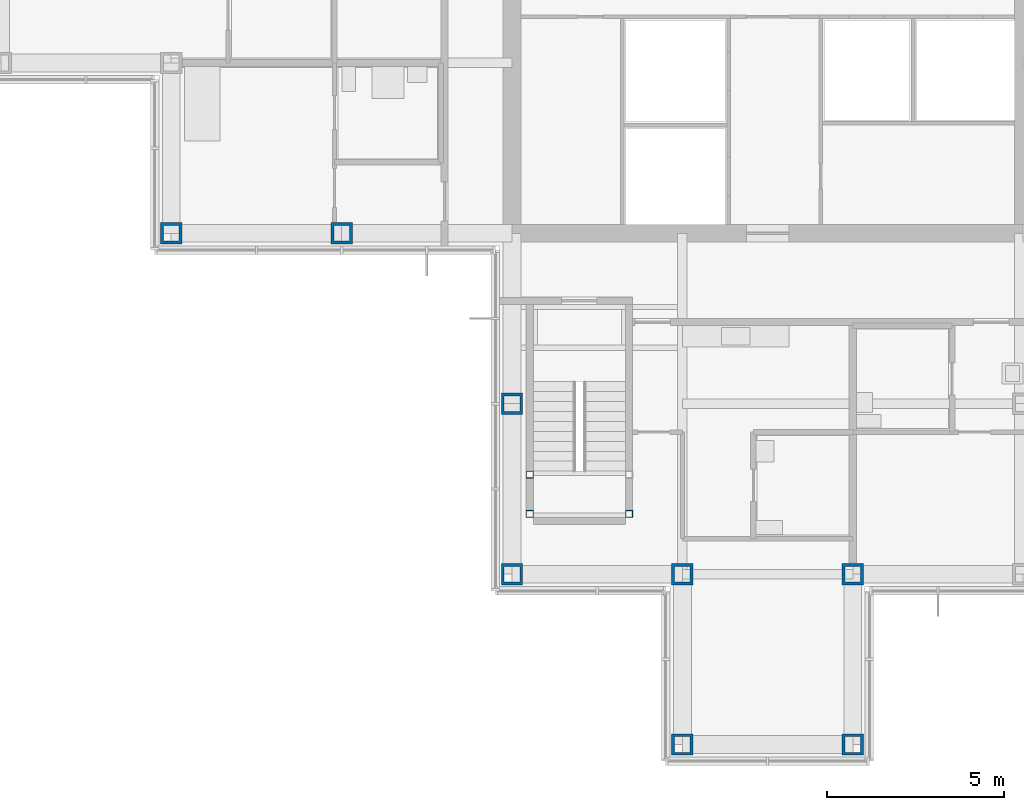
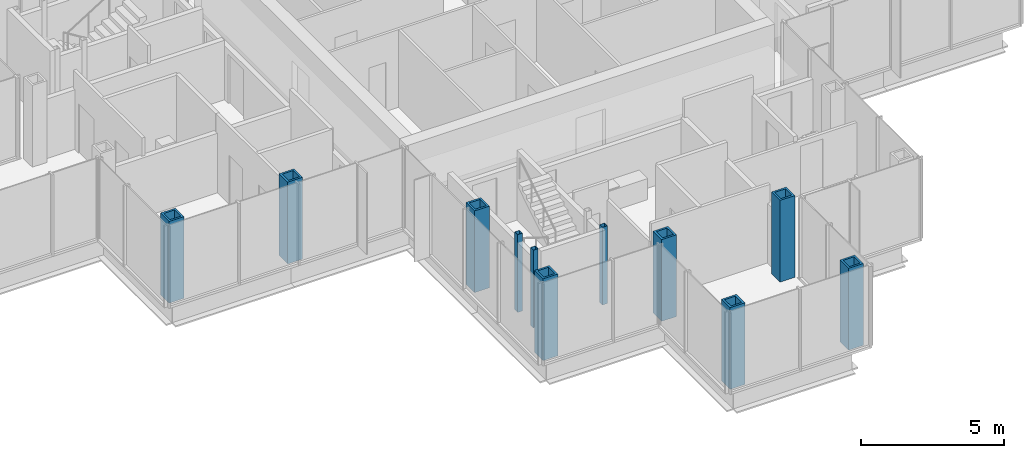
# One storey, part 1 of 17: 11 columns.
"""IFC4 building model written with IfcOpenShell, lengths in metres."""

from ifc_helpers import new_model, si_unit, direction, frame, origin, origin_2d, place, context, subcontext, project, spatial, hollow_rectangle, extrude, material, material_profile, profile_set, type_object, element, save


model = new_model("IFC4")

# Units and contexts
model_context = context("Model", 3, precision=1e-05, world=origin(), true_north=direction((0.0, 1.0)))
body_context = subcontext(model_context, "Body", "Model", "MODEL_VIEW")
ifc_project = project(units=[si_unit("LENGTHUNIT", "METRE"), si_unit("AREAUNIT", "SQUARE_METRE"), si_unit("VOLUMEUNIT", "CUBIC_METRE"), si_unit("PLANEANGLEUNIT", "RADIAN"), si_unit("MASSUNIT", "GRAM", prefix="KILO")], contexts=[model_context])

# Site, building, storey
site_placement = place(None, origin())
site = spatial("IfcSite", under=ifc_project, at=site_placement, CompositionType="ELEMENT")
building_placement = place(site_placement, origin())
building = spatial("IfcBuilding", under=site, at=building_placement, Name="Kvirike Care Tower", CompositionType="ELEMENT")
storey_placement = place(building_placement, frame((0.0, 0.0, 148.0)))
storey = spatial("IfcBuildingStorey", under=building, at=storey_placement, Name="L40", CompositionType="ELEMENT", Elevation=148.0)

# Columns
ifc_material_1 = material(Name="Steel S460", Category="steel")
ifc_material_profile_1 = material_profile(ifc_material_1, hollow_rectangle(XDim=0.60009765625, YDim=0.60009765625, WallThickness=0.080078125, at=origin_2d()), Name="BX 600x600x80")
ifc_profile_set_1 = profile_set([ifc_material_profile_1], Name="Steel S460")
column_type_1 = type_object("IfcColumnType", Name="COLUMN BX 600x600x80", PredefinedType="COLUMN", material=ifc_profile_set_1)
for number, where, z_axis, x_axis, name in (
    (1, (4.800048828125, 28.800048828125, 0.0), (0.0, 0.0, 1.0), (0.0, 1.0, 0.0), "Column G4 L40"),
    (2, (9.60009765625, 28.800048828125, 0.0), (0.0, 0.0, 1.0), (0.0, 1.0, 0.0), "Column G5 L40"),
    (3, (14.39990234375, 19.199951171875, 0.0), (0.0, 0.0, 1.0), (0.0, 1.0, 0.0), "Column E6 L40"),
    (4, (14.39990234375, 24.0, 0.0), (0.0, 0.0, 1.0), (1.0, 0.0, 0.0), "Column F6 L40"),
    (5, (19.199951171875, 14.39990234375, 0.0), (0.0, 0.0, 1.0), (0.0, 1.0, 0.0), "Column D7 L40"),
    (6, (19.199951171875, 19.199951171875, 0.0), (0.0, 0.0, 1.0), (0.0, 1.0, 0.0), "Column E7 L40"),
    (7, (24.0, 14.39990234375, 0.0), (0.0, 0.0, 1.0), (0.0, 1.0, 0.0), "Column D8 L40"),
    (8, (24.0, 19.199951171875, 0.0), (0.0, 0.0, 1.0), (0.0, 1.0, 0.0), "Column E8 L40"),
):
    element("IfcColumn", number, at=place(storey_placement, frame(where, z_axis=z_axis, x_axis=x_axis)), inside=storey, type_object=column_type_1, Name=name, PredefinedType="COLUMN", context=body_context, shape_type="SweptSolid", body=[
        extrude(hollow_rectangle(XDim=0.60009765625, YDim=0.60009765625, WallThickness=0.080078125, at=origin_2d()), origin(), (0.0, 0.0, 1.0), 3.5),
    ])
ifc_material_2 = material(Name="Steel S460", Category="steel")
ifc_material_profile_2 = material_profile(ifc_material_2, hollow_rectangle(XDim=0.199951171875, YDim=0.199951171875, WallThickness=0.008056640625, at=origin_2d()), Name="SHS 200x200x8")
ifc_profile_set_2 = profile_set([ifc_material_profile_2], Name="Steel S460")
column_type_2 = type_object("IfcColumnType", Name="STAIR POST SHS 200x200x8", PredefinedType="COLUMN", material=ifc_profile_set_2)
for number, where, z_axis, x_axis, name in (
    (9, (14.89990234375, 20.89990234375, 0.0), (0.0, 0.0, 1.0), (1.0, 0.0, 0.0), "Stair 5 post 1 L40"),
    (10, (17.699951171875, 20.89990234375, 0.0), (0.0, 0.0, 1.0), (1.0, 0.0, 0.0), "Stair 5 post 2 L40"),
    (11, (14.89990234375, 22.0, 0.0), (0.0, 0.0, 1.0), (1.0, 0.0, 0.0), "Stair 5 post 3 L40"),
):
    element("IfcColumn", number, at=place(storey_placement, frame(where, z_axis=z_axis, x_axis=x_axis)), inside=storey, type_object=column_type_2, Name=name, PredefinedType="COLUMN", context=body_context, shape_type="SweptSolid", body=[
        extrude(hollow_rectangle(XDim=0.199951171875, YDim=0.199951171875, WallThickness=0.008056640625, at=origin_2d()), origin(), (0.0, 0.0, 1.0), 3.330078125),
    ])

save(model, "model.ifc")
